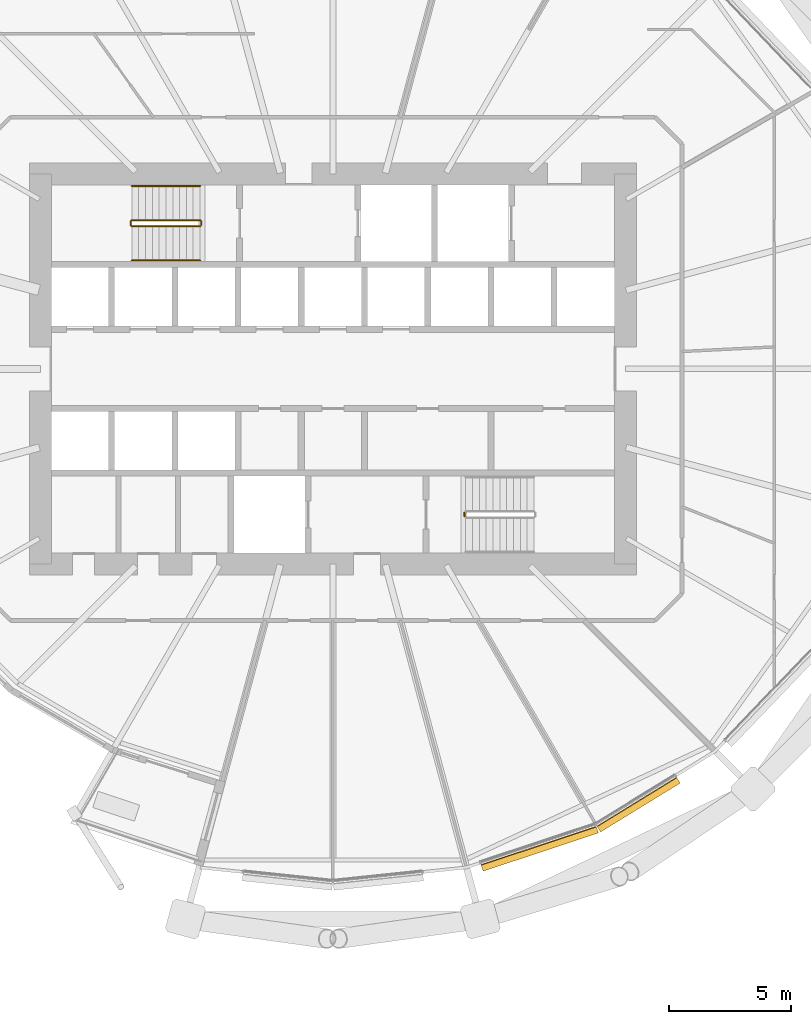
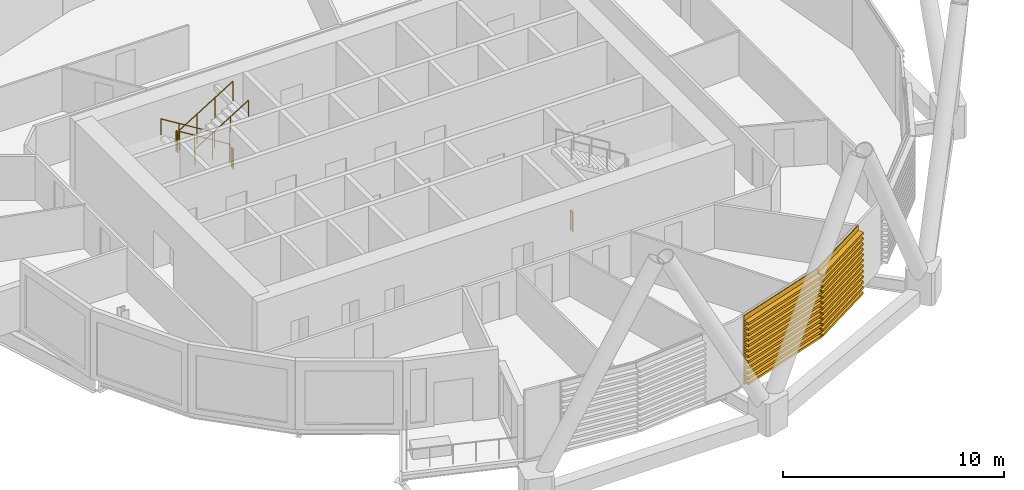
# One storey, part 30 of 36: 7 railings, 2 coverings.
"""IFC4 building model written with IfcOpenShell, lengths in metres."""

from ifc_helpers import new_model, si_unit, direction, frame, origin, origin_2d, place, context, subcontext, project, spatial, polyline, circle, outline, extrude, material, material_profile, profile_set, type_object, element, save


model = new_model("IFC4")

# Units and contexts
model_context = context("Model", 3, precision=1e-05, world=origin(), true_north=direction((0.0, 1.0)))
body_context = subcontext(model_context, "Body", "Model", "MODEL_VIEW")
ifc_project = project(units=[si_unit("LENGTHUNIT", "METRE"), si_unit("AREAUNIT", "SQUARE_METRE"), si_unit("VOLUMEUNIT", "CUBIC_METRE"), si_unit("PLANEANGLEUNIT", "RADIAN"), si_unit("MASSUNIT", "GRAM", prefix="KILO")], contexts=[model_context])

# Site, building, storey
site_placement = place(None, origin())
site = spatial("IfcSite", under=ifc_project, at=site_placement, CompositionType="ELEMENT")
building_placement = place(site_placement, origin())
building = spatial("IfcBuilding", under=site, at=building_placement, Name="Rimbun Link Towers", CompositionType="ELEMENT")
storey_placement = place(building_placement, frame((0.0, 0.0, 64.199951171875)))
storey = spatial("IfcBuildingStorey", under=building, at=storey_placement, Name="L15", CompositionType="ELEMENT", Elevation=64.199951171875)

# Railings
ifc_material_1 = material(Name="Stainless steel grade 316", Category="steel")
railing_type_1 = type_object("IfcRailingType", Name="Stair guard", PredefinedType="GUARDRAIL", material=ifc_material_1)
railing_1_placement = place(storey_placement, frame((-37.199951171875, 6.10009765625, 0.1728515625)))
element("IfcRailing", 1, at=railing_1_placement, inside=storey, type_object=railing_type_1, Name="L15 ST1 stair guard 1", PredefinedType="GUARDRAIL", context=body_context, shape_type="SweptSolid", body=[
    extrude(circle(Radius=0.02392578125, at=origin_2d()), frame((0.0, 0.0, 1.076171875), z_axis=(-0.851089632645, 0.0, 0.525020415988), x_axis=(0.0, -1.0, 0.0)), (0.0, 0.0, 1.0), 3.2900390625),
    extrude(circle(Radius=0.02099609375, at=origin_2d()), origin(), (0.0, 0.0, 1.0), 1.052001953125),
    extrude(circle(Radius=0.02099609375, at=origin_2d()), frame((-0.933349609375, 0.0, 0.57568359375)), (0.0, 0.0, 1.0), 1.052001953125),
    extrude(circle(Radius=0.02099609375, at=origin_2d()), frame((-1.86669921875, 0.0, 1.151611328125)), (0.0, 0.0, 1.0), 1.052001953125),
    extrude(circle(Radius=0.02099609375, at=origin_2d()), frame((-2.800048828125, 0.0, 1.727294921875)), (0.0, 0.0, 1.0), 1.052001953125),
])
railing_2_placement = place(storey_placement, frame((-40.050048828125, 6.050048828125, 1.900146484375)))
element("IfcRailing", 2, at=railing_2_placement, inside=storey, type_object=railing_type_1, Name="L15 ST1 stair guard 2", PredefinedType="GUARDRAIL", context=body_context, shape_type="SweptSolid", body=[
    extrude(circle(Radius=0.02392578125, at=origin_2d()), frame((0.0, 0.0, 1.076171875), z_axis=(0.0, -1.0, 0.0), x_axis=(1.0, 0.0, 0.0)), (0.0, 0.0, 1.0), 0.150146484375),
    extrude(circle(Radius=0.02099609375, at=origin_2d()), origin(), (0.0, 0.0, 1.0), 1.052001953125),
    extrude(circle(Radius=0.02099609375, at=origin_2d()), frame((0.0, -0.150146484375, 0.0)), (0.0, 0.0, 1.0), 1.052001953125),
])
railing_3_placement = place(storey_placement, frame((-40.0, 5.85009765625, 2.07275390625)))
element("IfcRailing", 3, at=railing_3_placement, inside=storey, type_object=railing_type_1, Name="L15 ST1 stair guard 3", PredefinedType="GUARDRAIL", context=body_context, shape_type="SweptSolid", body=[
    extrude(circle(Radius=0.02392578125, at=origin_2d()), frame((0.0, 0.0, 1.076171875), z_axis=(0.851089632645, 0.0, 0.525020415988), x_axis=(0.0, 1.0, 0.0)), (0.0, 0.0, 1.0), 3.2900390625),
    extrude(circle(Radius=0.02099609375, at=origin_2d()), origin(), (0.0, 0.0, 1.0), 1.052001953125),
    extrude(circle(Radius=0.02099609375, at=origin_2d()), frame((0.933349609375, 0.0, 0.57568359375)), (0.0, 0.0, 1.0), 1.052001953125),
    extrude(circle(Radius=0.02099609375, at=origin_2d()), frame((1.86669921875, 0.0, 1.151611328125)), (0.0, 0.0, 1.0), 1.052001953125),
    extrude(circle(Radius=0.02099609375, at=origin_2d()), frame((2.800048828125, 0.0, 1.727294921875)), (0.0, 0.0, 1.0), 1.052001953125),
])
railing_4_placement = place(storey_placement, frame((-37.14990234375, 6.050048828125, 0.0)))
element("IfcRailing", 4, at=railing_4_placement, inside=storey, type_object=railing_type_1, Name="L15 ST1 stair guard 4", PredefinedType="GUARDRAIL", context=body_context, shape_type="SweptSolid", body=[
    extrude(circle(Radius=0.02392578125, at=origin_2d()), frame((0.0, 0.0, 1.076171875), z_axis=(0.0, -1.0, 0.0), x_axis=(1.0, 0.0, 0.0)), (0.0, 0.0, 1.0), 0.150146484375),
    extrude(circle(Radius=0.02099609375, at=origin_2d()), origin(), (0.0, 0.0, 1.0), 1.052001953125),
    extrude(circle(Radius=0.02099609375, at=origin_2d()), frame((0.0, -0.150146484375, 0.0)), (0.0, 0.0, 1.0), 1.052001953125),
])
railing_5_placement = place(storey_placement, frame((-26.35009765625, -6.050048828125, 0.0)))
element("IfcRailing", 5, at=railing_5_placement, inside=storey, type_object=railing_type_1, Name="L15 ST2 stair guard 4", PredefinedType="GUARDRAIL", context=body_context, shape_type="SweptSolid", body=[
    extrude(circle(Radius=0.02392578125, at=origin_2d()), frame((0.0, 0.0, 1.076171875), z_axis=(0.0, 1.0, 0.0), x_axis=(-1.0, 0.0, 0.0)), (0.0, 0.0, 1.0), 0.150146484375),
    extrude(circle(Radius=0.02099609375, at=origin_2d()), origin(), (0.0, 0.0, 1.0), 1.052001953125),
    extrude(circle(Radius=0.02099609375, at=origin_2d()), frame((0.0, 0.150146484375, 0.0)), (0.0, 0.0, 1.0), 1.052001953125),
])
ifc_material_2 = material(Name="Stainless steel grade 316", Category="steel")
railing_type_2 = type_object("IfcRailingType", Name="Stair handrail", PredefinedType="HANDRAIL", material=ifc_material_2)
railing_6_placement = place(storey_placement, frame((-37.199951171875, 7.5, 0.1728515625)))
element("IfcRailing", 6, at=railing_6_placement, inside=storey, type_object=railing_type_2, Name="L15 ST1 stair handrail 1", PredefinedType="HANDRAIL", context=body_context, shape_type="SweptSolid", body=[
    extrude(circle(Radius=0.02392578125, at=origin_2d()), frame((0.0, 0.0, 0.8759765625), z_axis=(-0.851089632645, 0.0, 0.525020415988), x_axis=(0.0, -1.0, 0.0)), (0.0, 0.0, 1.0), 3.2900390625),
    extrude(circle(Radius=0.02099609375, at=origin_2d()), origin(), (0.0, 0.0, 1.0), 0.851806640625),
    extrude(circle(Radius=0.02099609375, at=origin_2d()), frame((-0.933349609375, 0.0, 0.57568359375)), (0.0, 0.0, 1.0), 0.851806640625),
    extrude(circle(Radius=0.02099609375, at=origin_2d()), frame((-1.86669921875, 0.0, 1.151611328125)), (0.0, 0.0, 1.0), 0.851806640625),
    extrude(circle(Radius=0.02099609375, at=origin_2d()), frame((-2.800048828125, 0.0, 1.727294921875)), (0.0, 0.0, 1.0), 0.851806640625),
])
railing_7_placement = place(storey_placement, frame((-40.0, 4.449951171875, 2.07275390625)))
element("IfcRailing", 7, at=railing_7_placement, inside=storey, type_object=railing_type_2, Name="L15 ST1 stair handrail 2", PredefinedType="HANDRAIL", context=body_context, shape_type="SweptSolid", body=[
    extrude(circle(Radius=0.02392578125, at=origin_2d()), frame((0.0, 0.0, 0.8759765625), z_axis=(0.851089632645, 0.0, 0.525020415988), x_axis=(0.0, 1.0, 0.0)), (0.0, 0.0, 1.0), 3.2900390625),
    extrude(circle(Radius=0.02099609375, at=origin_2d()), origin(), (0.0, 0.0, 1.0), 0.851806640625),
    extrude(circle(Radius=0.02099609375, at=origin_2d()), frame((0.933349609375, 0.0, 0.57568359375)), (0.0, 0.0, 1.0), 0.851806640625),
    extrude(circle(Radius=0.02099609375, at=origin_2d()), frame((1.86669921875, 0.0, 1.151611328125)), (0.0, 0.0, 1.0), 0.851806640625),
    extrude(circle(Radius=0.02099609375, at=origin_2d()), frame((2.800048828125, 0.0, 1.727294921875)), (0.0, 0.0, 1.0), 0.851806640625),
])

# Coverings
ifc_material_3 = material(Name="Terracotta", Category="masonry")
ifc_material_profile = material_profile(ifc_material_3, outline(polyline([(0.123046875, 0.0), (0.1630859375, 0.0), (0.1630859375, 0.10009765625), (0.423095703125, 0.10009765625), (0.423095703125, 0.219970703125), (0.1630859375, 0.219970703125), (0.1630859375, 0.39990234375), (0.423095703125, 0.39990234375), (0.423095703125, 0.52001953125), (0.1630859375, 0.52001953125), (0.1630859375, 0.699951171875), (0.423095703125, 0.699951171875), (0.423095703125, 0.820068359375), (0.1630859375, 0.820068359375), (0.1630859375, 1.0), (0.423095703125, 1.0), (0.423095703125, 1.1201171875), (0.1630859375, 1.1201171875), (0.1630859375, 1.300048828125), (0.423095703125, 1.300048828125), (0.423095703125, 1.419921875), (0.1630859375, 1.419921875), (0.1630859375, 1.60009765625), (0.423095703125, 1.60009765625), (0.423095703125, 1.719970703125), (0.1630859375, 1.719970703125), (0.1630859375, 1.89990234375), (0.423095703125, 1.89990234375), (0.423095703125, 2.02001953125), (0.1630859375, 2.02001953125), (0.1630859375, 2.199951171875), (0.423095703125, 2.199951171875), (0.423095703125, 2.320068359375), (0.1630859375, 2.320068359375), (0.1630859375, 2.5), (0.423095703125, 2.5), (0.423095703125, 2.6201171875), (0.1630859375, 2.6201171875), (0.1630859375, 2.800048828125), (0.423095703125, 2.800048828125), (0.423095703125, 2.919921875), (0.1630859375, 2.919921875), (0.1630859375, 3.10009765625), (0.423095703125, 3.10009765625), (0.423095703125, 3.219970703125), (0.1630859375, 3.219970703125), (0.1630859375, 3.39990234375), (0.423095703125, 3.39990234375), (0.423095703125, 3.52001953125), (0.1630859375, 3.52001953125), (0.1630859375, 3.800048828125), (0.123046875, 3.800048828125), (0.123046875, 0.0)])), Name="BAGUETTE 120X300")
ifc_profile_set = profile_set([ifc_material_profile], Name="Terracotta")
covering_type = type_object("IfcCoveringType", Name="TERRACOTTA BAGUETTE 120X300 H3800", PredefinedType="CLADDING", material=ifc_profile_set)
covering_1_placement = place(storey_placement, frame((-20.985107421875, -18.6455078125, 0.0), z_axis=(-0.949230755565, -0.314580629871, 0.0), x_axis=(0.314580629871, -0.949230755565, 0.0)))
element("IfcCovering", 8, at=covering_1_placement, inside=storey, type_object=covering_type, Name="TERRACOTTA BAGUETTE", PredefinedType="CLADDING", context=body_context, shape_type="SweptSolid", body=[
    extrude(outline(polyline([(0.123046875, 0.0), (0.1630859375, 0.0), (0.1630859375, 0.10009765625), (0.423095703125, 0.10009765625), (0.423095703125, 0.219970703125), (0.1630859375, 0.219970703125), (0.1630859375, 0.39990234375), (0.423095703125, 0.39990234375), (0.423095703125, 0.52001953125), (0.1630859375, 0.52001953125), (0.1630859375, 0.699951171875), (0.423095703125, 0.699951171875), (0.423095703125, 0.820068359375), (0.1630859375, 0.820068359375), (0.1630859375, 1.0), (0.423095703125, 1.0), (0.423095703125, 1.1201171875), (0.1630859375, 1.1201171875), (0.1630859375, 1.300048828125), (0.423095703125, 1.300048828125), (0.423095703125, 1.419921875), (0.1630859375, 1.419921875), (0.1630859375, 1.60009765625), (0.423095703125, 1.60009765625), (0.423095703125, 1.719970703125), (0.1630859375, 1.719970703125), (0.1630859375, 1.89990234375), (0.423095703125, 1.89990234375), (0.423095703125, 2.02001953125), (0.1630859375, 2.02001953125), (0.1630859375, 2.199951171875), (0.423095703125, 2.199951171875), (0.423095703125, 2.320068359375), (0.1630859375, 2.320068359375), (0.1630859375, 2.5), (0.423095703125, 2.5), (0.423095703125, 2.6201171875), (0.1630859375, 2.6201171875), (0.1630859375, 2.800048828125), (0.423095703125, 2.800048828125), (0.423095703125, 2.919921875), (0.1630859375, 2.919921875), (0.1630859375, 3.10009765625), (0.423095703125, 3.10009765625), (0.423095703125, 3.219970703125), (0.1630859375, 3.219970703125), (0.1630859375, 3.39990234375), (0.423095703125, 3.39990234375), (0.423095703125, 3.52001953125), (0.1630859375, 3.52001953125), (0.1630859375, 3.800048828125), (0.123046875, 3.800048828125), (0.123046875, 0.0)])), origin(), (0.0, 0.0, 1.0), 4.981689453125),
])
covering_2_placement = place(storey_placement, frame((-17.721435546875, -16.641845703125, 0.0), z_axis=(-0.852211619155, -0.523197244046, 0.0), x_axis=(0.523197244046, -0.852211619155, 0.0)))
element("IfcCovering", 9, at=covering_2_placement, inside=storey, type_object=covering_type, Name="TERRACOTTA BAGUETTE", PredefinedType="CLADDING", context=body_context, shape_type="SweptSolid", body=[
    extrude(outline(polyline([(0.123046875, 0.0), (0.1630859375, 0.0), (0.1630859375, 0.10009765625), (0.423095703125, 0.10009765625), (0.423095703125, 0.219970703125), (0.1630859375, 0.219970703125), (0.1630859375, 0.39990234375), (0.423095703125, 0.39990234375), (0.423095703125, 0.52001953125), (0.1630859375, 0.52001953125), (0.1630859375, 0.699951171875), (0.423095703125, 0.699951171875), (0.423095703125, 0.820068359375), (0.1630859375, 0.820068359375), (0.1630859375, 1.0), (0.423095703125, 1.0), (0.423095703125, 1.1201171875), (0.1630859375, 1.1201171875), (0.1630859375, 1.300048828125), (0.423095703125, 1.300048828125), (0.423095703125, 1.419921875), (0.1630859375, 1.419921875), (0.1630859375, 1.60009765625), (0.423095703125, 1.60009765625), (0.423095703125, 1.719970703125), (0.1630859375, 1.719970703125), (0.1630859375, 1.89990234375), (0.423095703125, 1.89990234375), (0.423095703125, 2.02001953125), (0.1630859375, 2.02001953125), (0.1630859375, 2.199951171875), (0.423095703125, 2.199951171875), (0.423095703125, 2.320068359375), (0.1630859375, 2.320068359375), (0.1630859375, 2.5), (0.423095703125, 2.5), (0.423095703125, 2.6201171875), (0.1630859375, 2.6201171875), (0.1630859375, 2.800048828125), (0.423095703125, 2.800048828125), (0.423095703125, 2.919921875), (0.1630859375, 2.919921875), (0.1630859375, 3.10009765625), (0.423095703125, 3.10009765625), (0.423095703125, 3.219970703125), (0.1630859375, 3.219970703125), (0.1630859375, 3.39990234375), (0.423095703125, 3.39990234375), (0.423095703125, 3.52001953125), (0.1630859375, 3.52001953125), (0.1630859375, 3.800048828125), (0.123046875, 3.800048828125), (0.123046875, 0.0)])), origin(), (0.0, 0.0, 1.0), 3.82958984375),
])

save(model, "model.ifc")
